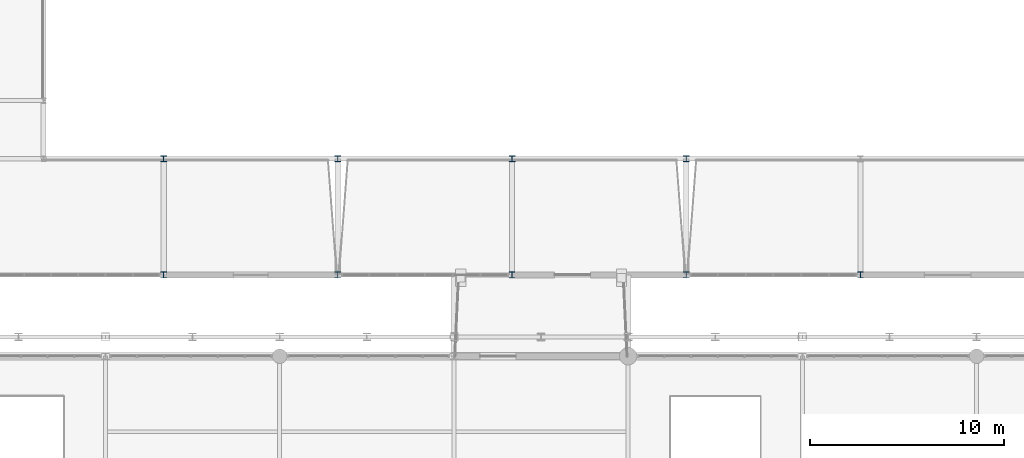
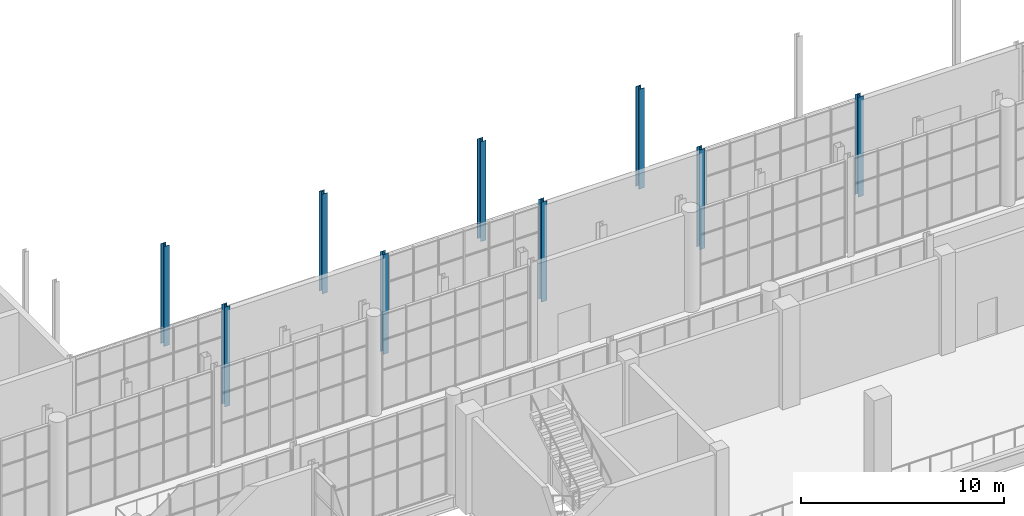
# One storey, part 12 of 159: 9 columns.
"""IFC4 building model written with IfcOpenShell, lengths in metres."""

from ifc_helpers import new_model, si_unit, direction, frame, origin, origin_2d, place, context, subcontext, project, spatial, i_section, extrude, material, material_profile, profile_set, type_object, element, save


model = new_model("IFC4")

# Units and contexts
model_context = context("Model", 3, precision=1e-05, world=origin(), true_north=direction((0.0, 1.0)))
body_context = subcontext(model_context, "Body", "Model", "MODEL_VIEW")
ifc_project = project(units=[si_unit("LENGTHUNIT", "METRE"), si_unit("AREAUNIT", "SQUARE_METRE"), si_unit("VOLUMEUNIT", "CUBIC_METRE"), si_unit("PLANEANGLEUNIT", "RADIAN"), si_unit("MASSUNIT", "GRAM", prefix="KILO")], contexts=[model_context])

# Site, building, storey
site_placement = place(None, origin())
site = spatial("IfcSite", under=ifc_project, at=site_placement, CompositionType="ELEMENT")
building_placement = place(site_placement, origin())
building = spatial("IfcBuilding", under=site, at=building_placement, Name="Cazmaro Siding Exhibition Halls", CompositionType="ELEMENT")
storey_placement = place(building_placement, frame((0.0, 0.0, 6.0)))
storey = spatial("IfcBuildingStorey", under=building, at=storey_placement, Name="L01", CompositionType="ELEMENT", Elevation=6.0)

# Columns
ifc_material_1 = material(Name="Steel ASTM A992 Grade 50", Category="steel")
ifc_material_profile_1 = material_profile(ifc_material_1, i_section(OverallWidth=0.304931640625, OverallDepth=0.306884765625, WebThickness=0.010009765625, FlangeThickness=0.014892578125, at=origin_2d()), Name="W12X65")
ifc_profile_set_1 = profile_set([ifc_material_profile_1], Name="Steel ASTM A992 Grade 50")
column_type_1 = type_object("IfcColumnType", Name="C-06", PredefinedType="COLUMN", material=ifc_profile_set_1)
for number, where, z_axis, x_axis, name in (
    (1, (66.0, 67.199951171875, 0.0), (0.0, 0.0, 1.0), (1.0, 0.0, 0.0), "Column C-06 COL-0276"),
    (2, (75.0, 67.199951171875, 0.0), (0.0, 0.0, 1.0), (1.0, 0.0, 0.0), "Column C-06 COL-0286"),
    (3, (84.0, 67.199951171875, 0.0), (0.0, 0.0, 1.0), (1.0, 0.0, 0.0), "Column C-06 COL-0296"),
    (4, (93.0, 67.199951171875, 0.0), (0.0, 0.0, 1.0), (1.0, 0.0, 0.0), "Column C-06 COL-0306"),
    (5, (102.0, 67.199951171875, 0.0), (0.0, 0.0, 1.0), (1.0, 0.0, 0.0), "Column C-06 COL-0316"),
):
    element("IfcColumn", number, at=place(storey_placement, frame(where, z_axis=z_axis, x_axis=x_axis)), inside=storey, type_object=column_type_1, Name=name, PredefinedType="COLUMN", context=body_context, shape_type="SweptSolid", body=[
        extrude(i_section(OverallWidth=0.304931640625, OverallDepth=0.306884765625, WebThickness=0.010009765625, FlangeThickness=0.014892578125, at=origin_2d()), origin(), (0.0, 0.0, 1.0), 6.0),
    ])
ifc_material_2 = material(Name="Steel ASTM A992 Grade 50", Category="steel")
ifc_material_profile_2 = material_profile(ifc_material_2, i_section(OverallWidth=0.30908203125, OverallDepth=0.320068359375, WebThickness=0.013916015625, FlangeThickness=0.02294921875, at=origin_2d()), Name="W12X96")
ifc_profile_set_2 = profile_set([ifc_material_profile_2], Name="Steel ASTM A992 Grade 50")
column_type_2 = type_object("IfcColumnType", Name="C-13", PredefinedType="COLUMN", material=ifc_profile_set_2)
for number, where, z_axis, x_axis, name in (
    (6, (66.0, 73.199951171875, 0.0), (0.0, 0.0, 1.0), (1.0, 0.0, 0.0), "Column C-13 COL-0279"),
    (7, (75.0, 73.199951171875, 0.0), (0.0, 0.0, 1.0), (1.0, 0.0, 0.0), "Column C-13 COL-0289"),
    (8, (84.0, 73.199951171875, 0.0), (0.0, 0.0, 1.0), (1.0, 0.0, 0.0), "Column C-13 COL-0299"),
    (9, (93.0, 73.199951171875, 0.0), (0.0, 0.0, 1.0), (1.0, 0.0, 0.0), "Column C-13 COL-0309"),
):
    element("IfcColumn", number, at=place(storey_placement, frame(where, z_axis=z_axis, x_axis=x_axis)), inside=storey, type_object=column_type_2, Name=name, PredefinedType="COLUMN", context=body_context, shape_type="SweptSolid", body=[
        extrude(i_section(OverallWidth=0.30908203125, OverallDepth=0.320068359375, WebThickness=0.013916015625, FlangeThickness=0.02294921875, at=origin_2d()), origin(), (0.0, 0.0, 1.0), 6.0),
    ])

save(model, "model.ifc")
